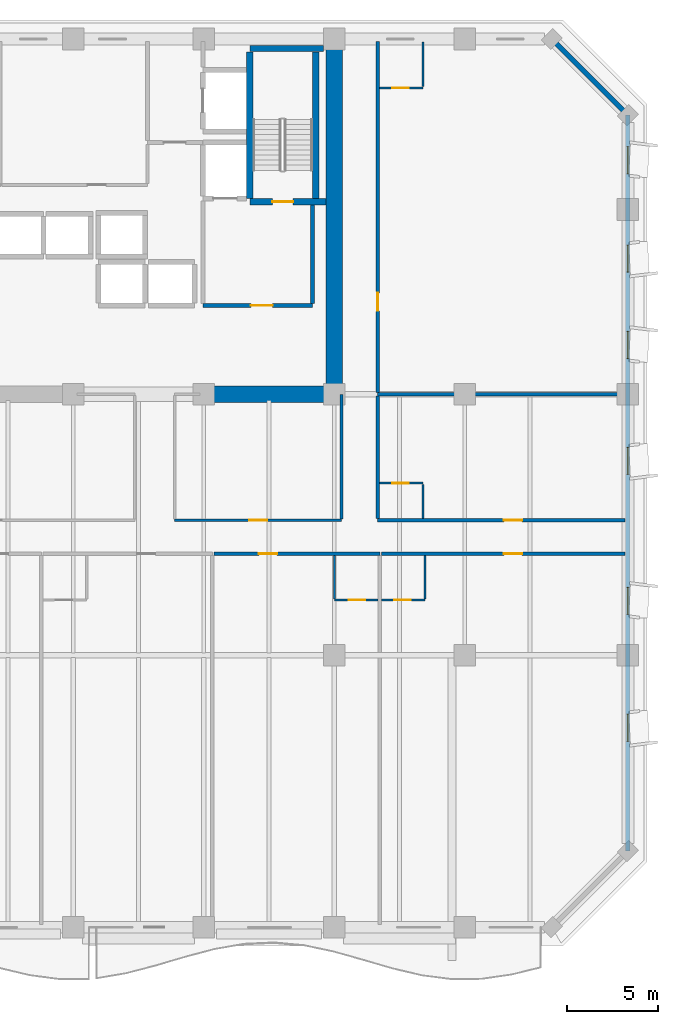
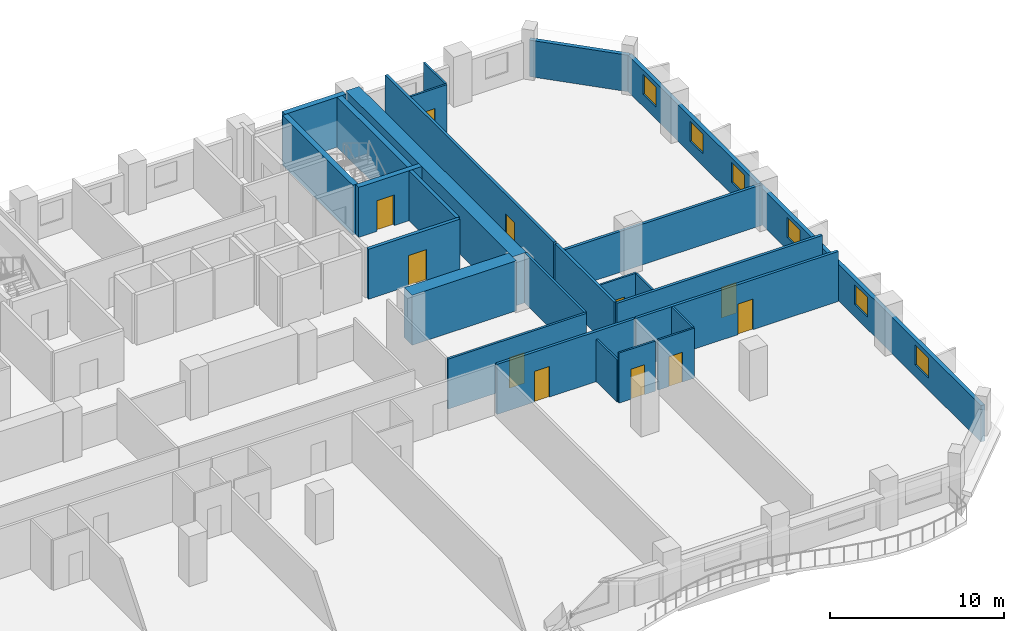
# One storey, part 9 of 14: 26 walls, 11 doors, 6 windows, 17 openings.
"""IFC4 building model written with IfcOpenShell, lengths in metres."""

from ifc_helpers import new_model, si_unit, direction, frame, frame_2d, origin, place, context, subcontext, project, spatial, rectangle, extrude, material, layer, layer_set, type_object, element, fill, save


model = new_model("IFC4")

# Units and contexts
model_context = context("Model", 3, precision=1e-05, world=origin(), true_north=direction((0.0, 1.0)))
body_context = subcontext(model_context, "Body", "Model", "MODEL_VIEW")
ifc_project = project(units=[si_unit("LENGTHUNIT", "METRE"), si_unit("AREAUNIT", "SQUARE_METRE"), si_unit("VOLUMEUNIT", "CUBIC_METRE"), si_unit("PLANEANGLEUNIT", "RADIAN"), si_unit("MASSUNIT", "GRAM", prefix="KILO")], contexts=[model_context])

# Site, building, storey
site_placement = place(None, origin())
site = spatial("IfcSite", under=ifc_project, at=site_placement, CompositionType="ELEMENT")
building_placement = place(site_placement, origin())
building = spatial("IfcBuilding", under=site, at=building_placement, Name="Kaelvorn Grand Hotel", CompositionType="ELEMENT")
storey_placement = place(building_placement, frame((0.0, 0.0, 93.050048828125)))
storey = spatial("IfcBuildingStorey", under=building, at=storey_placement, Name="L21", CompositionType="ELEMENT", Elevation=93.050048828125)

# Walls
ifc_material_1 = material(Name="Concrete C60/75", Category="concrete")
ifc_layer_1 = layer(ifc_material_1, 0.89990234375)
ifc_layer_set_1 = layer_set([ifc_layer_1], Name="Concrete C60/75")
wall_type_1 = type_object("IfcWallType", Name="WL-CORE-900-C60", PredefinedType="SHEAR", material=ifc_layer_set_1)
wall_1_placement = place(storey_placement, frame((67.800048828125, 29.39990234375, 0.0), z_axis=(0.0, 0.0, 1.0), x_axis=(0.0, 1.0, 0.0)))
element("IfcWall", 1, at=wall_1_placement, inside=storey, type_object=wall_type_1, Name="L21 Rear-Core East Shear Wall", PredefinedType="SHEAR", context=body_context, shape_type="SweptSolid", body=[
    extrude(rectangle(XDim=19.2001953125, YDim=0.89990234375, at=frame_2d((9.60009765625, 0.0))), origin(), (0.0, 0.0, 1.0), 3.510009765625),
])
wall_2_placement = place(storey_placement, frame((60.39990234375, 29.39990234375, 0.0), z_axis=(0.0, 0.0, 1.0), x_axis=(1.0, 0.0, 0.0)))
element("IfcWall", 2, at=wall_2_placement, inside=storey, type_object=wall_type_1, Name="L21 Rear-Core Coupled Shear Pier S4", PredefinedType="SHEAR", context=body_context, shape_type="SweptSolid", body=[
    extrude(rectangle(XDim=6.945068359375, YDim=0.89990234375, at=frame_2d((3.47265625, 0.0))), origin(), (0.0, 0.0, 1.0), 3.510009765625),
])

# Wall, openings, windows
ifc_material_2 = material(Name="Concrete C40/50", Category="concrete")
ifc_layer_2 = layer(ifc_material_2, 0.260009765625)
ifc_layer_set_2 = layer_set([ifc_layer_2], Name="Concrete C40/50")
wall_type_2 = type_object("IfcWallType", Name="WL-EXT-260-C40", PredefinedType="SOLIDWALL", material=ifc_layer_set_2)
wall_3_placement = place(storey_placement, frame((84.0, 4.199951171875, 0.0), z_axis=(0.0, 0.0, 1.0), x_axis=(0.0, 1.0, 0.0)))
wall_3 = element("IfcWall", 3, at=wall_3_placement, inside=storey, type_object=wall_type_2, Name="L21 Exterior Architectural Concrete Wall 03", PredefinedType="SOLIDWALL", context=body_context, shape_type="SweptSolid", body=[
    extrude(rectangle(XDim=40.60009765625, YDim=0.260009765625, at=frame_2d((20.300048828125, 0.0))), origin(), (0.0, 0.0, 1.0), 2.56005859375),
])
opening_1_placement = place(wall_3_placement, frame((6.050048828125, 0.0, 0.85009765625)))
opening_1 = element("IfcOpeningElement", 4, at=opening_1_placement, cuts=wall_3, Name="Opening W10", PredefinedType="OPENING", context=body_context, shape_type="SweptSolid", body=[
    extrude(rectangle(XDim=1.5, YDim=1.39990234375, at=frame_2d((0.75, 0.699951171875))), frame((0.0, 0.14013671875, 0.0), z_axis=(0.0, -1.0, 0.0), x_axis=(1.0, 0.0, 0.0)), (0.0, 0.0, 1.0), 0.280029296875),
])
opening_2_placement = place(wall_3_placement, frame((13.050048828125, 0.0, 0.85009765625)))
opening_2 = element("IfcOpeningElement", 5, at=opening_2_placement, cuts=wall_3, Name="Opening W10", PredefinedType="OPENING", context=body_context, shape_type="SweptSolid", body=[
    extrude(rectangle(XDim=1.5, YDim=1.39990234375, at=frame_2d((0.75, 0.699951171875))), frame((0.0, 0.14013671875, 0.0), z_axis=(0.0, -1.0, 0.0), x_axis=(1.0, 0.0, 0.0)), (0.0, 0.0, 1.0), 0.280029296875),
])
opening_3_placement = place(wall_3_placement, frame((20.77490234375, 0.0, 0.85009765625)))
opening_3 = element("IfcOpeningElement", 6, at=opening_3_placement, cuts=wall_3, Name="Opening W10", PredefinedType="OPENING", context=body_context, shape_type="SweptSolid", body=[
    extrude(rectangle(XDim=1.5, YDim=1.39990234375, at=frame_2d((0.75, 0.699951171875))), frame((0.0, 0.14013671875, 0.0), z_axis=(0.0, -1.0, 0.0), x_axis=(1.0, 0.0, 0.0)), (0.0, 0.0, 1.0), 0.280029296875),
])
opening_4_placement = place(wall_3_placement, frame((27.1650390625, 0.0, 0.85009765625)))
opening_4 = element("IfcOpeningElement", 7, at=opening_4_placement, cuts=wall_3, Name="Opening W10", PredefinedType="OPENING", context=body_context, shape_type="SweptSolid", body=[
    extrude(rectangle(XDim=1.5, YDim=1.39990234375, at=frame_2d((0.75, 0.699951171875))), frame((0.0, 0.14013671875, 0.0), z_axis=(0.0, -1.0, 0.0), x_axis=(1.0, 0.0, 0.0)), (0.0, 0.0, 1.0), 0.280029296875),
])
opening_5_placement = place(wall_3_placement, frame((31.93505859375, 0.0, 0.85009765625)))
opening_5 = element("IfcOpeningElement", 8, at=opening_5_placement, cuts=wall_3, Name="Opening W10", PredefinedType="OPENING", context=body_context, shape_type="SweptSolid", body=[
    extrude(rectangle(XDim=1.5, YDim=1.39990234375, at=frame_2d((0.75, 0.699951171875))), frame((0.0, 0.14013671875, 0.0), z_axis=(0.0, -1.0, 0.0), x_axis=(1.0, 0.0, 0.0)), (0.0, 0.0, 1.0), 0.280029296875),
])
opening_6_placement = place(wall_3_placement, frame((37.364990234375, 0.0, 0.85009765625)))
opening_6 = element("IfcOpeningElement", 9, at=opening_6_placement, cuts=wall_3, Name="Opening W10", PredefinedType="OPENING", context=body_context, shape_type="SweptSolid", body=[
    extrude(rectangle(XDim=1.5, YDim=1.39990234375, at=frame_2d((0.75, 0.699951171875))), frame((0.0, 0.14013671875, 0.0), z_axis=(0.0, -1.0, 0.0), x_axis=(1.0, 0.0, 0.0)), (0.0, 0.0, 1.0), 0.280029296875),
])
ifc_material_3 = material(Name="Laminated Low-E Glass", Category="glass")
window_type = type_object("IfcWindowType", Name="WIN-COR-1500x1400", PartitioningType="SINGLE_PANEL", PredefinedType="WINDOW", material=ifc_material_3)
window_1_placement = place(opening_1_placement, origin())
window_1 = element("IfcWindow", 10, at=window_1_placement, inside=storey, type_object=window_type, Name="L21 E Wing Tilted-Frame Ribbon Window E01", OverallHeight=1.39990234375, OverallWidth=1.5, PartitioningType="SINGLE_PANEL", PredefinedType="WINDOW", context=body_context, shape_type="SweptSolid", body=[
    extrude(rectangle(XDim=1.5, YDim=1.39990234375, at=frame_2d((0.75, 0.699951171875))), frame((0.0, 0.030029296875, 0.0), z_axis=(0.0, -1.0, 0.0), x_axis=(1.0, 0.0, 0.0)), (0.0, 0.0, 1.0), 0.06005859375),
])
fill(opening_1, window_1)
window_2_placement = place(opening_2_placement, origin())
window_2 = element("IfcWindow", 11, at=window_2_placement, inside=storey, type_object=window_type, Name="L21 E Wing Tilted-Frame Ribbon Window E02", OverallHeight=1.39990234375, OverallWidth=1.5, PartitioningType="SINGLE_PANEL", PredefinedType="WINDOW", context=body_context, shape_type="SweptSolid", body=[
    extrude(rectangle(XDim=1.5, YDim=1.39990234375, at=frame_2d((0.75, 0.699951171875))), frame((0.0, 0.030029296875, 0.0), z_axis=(0.0, -1.0, 0.0), x_axis=(1.0, 0.0, 0.0)), (0.0, 0.0, 1.0), 0.06005859375),
])
fill(opening_2, window_2)
window_3_placement = place(opening_3_placement, origin())
window_3 = element("IfcWindow", 12, at=window_3_placement, inside=storey, type_object=window_type, Name="L21 E Wing Tilted-Frame Ribbon Window E03", OverallHeight=1.39990234375, OverallWidth=1.5, PartitioningType="SINGLE_PANEL", PredefinedType="WINDOW", context=body_context, shape_type="SweptSolid", body=[
    extrude(rectangle(XDim=1.5, YDim=1.39990234375, at=frame_2d((0.75, 0.699951171875))), frame((0.0, 0.030029296875, 0.0), z_axis=(0.0, -1.0, 0.0), x_axis=(1.0, 0.0, 0.0)), (0.0, 0.0, 1.0), 0.06005859375),
])
fill(opening_3, window_3)
window_4_placement = place(opening_4_placement, origin())
window_4 = element("IfcWindow", 13, at=window_4_placement, inside=storey, type_object=window_type, Name="L21 E Wing Tilted-Frame Ribbon Window E04", OverallHeight=1.39990234375, OverallWidth=1.5, PartitioningType="SINGLE_PANEL", PredefinedType="WINDOW", context=body_context, shape_type="SweptSolid", body=[
    extrude(rectangle(XDim=1.5, YDim=1.39990234375, at=frame_2d((0.75, 0.699951171875))), frame((0.0, 0.030029296875, 0.0), z_axis=(0.0, -1.0, 0.0), x_axis=(1.0, 0.0, 0.0)), (0.0, 0.0, 1.0), 0.06005859375),
])
fill(opening_4, window_4)
window_5_placement = place(opening_5_placement, origin())
window_5 = element("IfcWindow", 14, at=window_5_placement, inside=storey, type_object=window_type, Name="L21 E Wing Tilted-Frame Ribbon Window E05", OverallHeight=1.39990234375, OverallWidth=1.5, PartitioningType="SINGLE_PANEL", PredefinedType="WINDOW", context=body_context, shape_type="SweptSolid", body=[
    extrude(rectangle(XDim=1.5, YDim=1.39990234375, at=frame_2d((0.75, 0.699951171875))), frame((0.0, 0.030029296875, 0.0), z_axis=(0.0, -1.0, 0.0), x_axis=(1.0, 0.0, 0.0)), (0.0, 0.0, 1.0), 0.06005859375),
])
fill(opening_5, window_5)
window_6_placement = place(opening_6_placement, origin())
window_6 = element("IfcWindow", 15, at=window_6_placement, inside=storey, type_object=window_type, Name="L21 E Wing Tilted-Frame Ribbon Window E06", OverallHeight=1.39990234375, OverallWidth=1.5, PartitioningType="SINGLE_PANEL", PredefinedType="WINDOW", context=body_context, shape_type="SweptSolid", body=[
    extrude(rectangle(XDim=1.5, YDim=1.39990234375, at=frame_2d((0.75, 0.699951171875))), frame((0.0, 0.030029296875, 0.0), z_axis=(0.0, -1.0, 0.0), x_axis=(1.0, 0.0, 0.0)), (0.0, 0.0, 1.0), 0.06005859375),
])
fill(opening_6, window_6)

# Wall
wall_4_placement = place(storey_placement, frame((84.0, 44.800048828125, 0.0), z_axis=(0.0, 0.0, 1.0), x_axis=(-0.707106781187, 0.707106781187, 0.0)))
element("IfcWall", 16, at=wall_4_placement, inside=storey, type_object=wall_type_2, Name="L21 Exterior Architectural Concrete Wall 04", PredefinedType="SOLIDWALL", context=body_context, shape_type="SweptSolid", body=[
    extrude(rectangle(XDim=5.939697265625, YDim=0.260009765625, at=frame_2d((2.9697265625, 0.0))), origin(), (0.0, 0.0, 1.0), 2.56005859375),
])

# Wall, opening, door
ifc_material_4 = material(Name="Moisture-Resistant Tile & Stud Board")
ifc_layer_3 = layer(ifc_material_4, 0.125)
ifc_layer_set_3 = layer_set([ifc_layer_3], Name="Moisture-Resistant Tile & Stud Board")
wall_type_3 = type_object("IfcWallType", Name="WL-PART-125-WET", PredefinedType="PARTITIONING", material=ifc_layer_set_3)
wall_5_placement = place(storey_placement, frame((67.81298828125, 18.050048828125, 0.0), z_axis=(0.0, 0.0, 1.0), x_axis=(1.0, 0.0, 0.0)))
wall_5 = element("IfcWall", 17, at=wall_5_placement, inside=storey, type_object=wall_type_3, Name="L21 En-suite Bathroom L21-07 S Partition", PredefinedType="PARTITIONING", context=body_context, shape_type="SweptSolid", body=[
    extrude(rectangle(XDim=2.405029296875, YDim=0.125, at=frame_2d((1.20263671875, 0.0))), origin(), (0.0, 0.0, 1.0), 3.510009765625),
])
opening_7_placement = place(wall_5_placement, frame((0.800048828125, 0.0, 0.0)))
opening_7 = element("IfcOpeningElement", 18, at=opening_7_placement, cuts=wall_5, Name="Opening DI4", PredefinedType="OPENING", context=body_context, shape_type="SweptSolid", body=[
    extrude(rectangle(XDim=0.89990234375, YDim=2.10009765625, at=frame_2d((0.449951171875, 1.050048828125))), frame((0.0, 0.072509765625, 0.0), z_axis=(0.0, -1.0, 0.0), x_axis=(1.0, 0.0, 0.0)), (0.0, 0.0, 1.0), 0.14501953125),
])
ifc_material_5 = material(Name="Timber Veneer Leaf", Category="wood")
door_type_1 = type_object("IfcDoorType", Name="DR-INT-BATH-900x2100", OperationType="NOTDEFINED", PredefinedType="DOOR", material=ifc_material_5)
door_1_placement = place(opening_7_placement, origin())
door_1 = element("IfcDoor", 19, at=door_1_placement, inside=storey, type_object=door_type_1, Name="L21 En-suite Bathroom L21-07 Door", OperationType="SINGLE_SWING_LEFT", OverallHeight=2.10009765625, OverallWidth=0.89990234375, PredefinedType="DOOR", context=body_context, shape_type="SweptSolid", body=[
    extrude(rectangle(XDim=0.89990234375, YDim=2.10009765625, at=frame_2d((0.449951171875, 1.050048828125))), frame((0.0, 0.02490234375, 0.0), z_axis=(0.0, -1.0, 0.0), x_axis=(1.0, 0.0, 0.0)), (0.0, 0.0, 1.0), 0.050048828125),
])
fill(opening_7, door_1)

# Wall
wall_6_placement = place(storey_placement, frame((67.81298828125, 18.117431640625, 0.0), z_axis=(0.0, 0.0, 1.0), x_axis=(0.0, 1.0, 0.0)))
element("IfcWall", 20, at=wall_6_placement, inside=storey, type_object=wall_type_3, Name="L21 En-suite Bathroom L21-07 W Partition", PredefinedType="PARTITIONING", context=body_context, shape_type="SweptSolid", body=[
    extrude(rectangle(XDim=2.387451171875, YDim=0.125, at=frame_2d((1.19384765625, 0.0))), origin(), (0.0, 0.0, 1.0), 2.976806640625),
])

# Wall, opening, door
wall_7_placement = place(storey_placement, frame((70.408203125, 18.050048828125, 0.0), z_axis=(0.0, 0.0, 1.0), x_axis=(1.0, 0.0, 0.0)))
wall_7 = element("IfcWall", 21, at=wall_7_placement, inside=storey, type_object=wall_type_3, Name="L21 En-suite Bathroom L21-08 S Partition", PredefinedType="PARTITIONING", context=body_context, shape_type="SweptSolid", body=[
    extrude(rectangle(XDim=2.40478515625, YDim=0.125, at=frame_2d((1.202392578125, 0.0))), origin(), (0.0, 0.0, 1.0), 3.510009765625),
])
opening_8_placement = place(wall_7_placement, frame((0.705078125, 0.0, 0.0)))
opening_8 = element("IfcOpeningElement", 22, at=opening_8_placement, cuts=wall_7, Name="Opening DI4", PredefinedType="OPENING", context=body_context, shape_type="SweptSolid", body=[
    extrude(rectangle(XDim=0.89990234375, YDim=2.10009765625, at=frame_2d((0.449951171875, 1.050048828125))), frame((0.0, 0.072509765625, 0.0), z_axis=(0.0, -1.0, 0.0), x_axis=(1.0, 0.0, 0.0)), (0.0, 0.0, 1.0), 0.14501953125),
])
door_2_placement = place(opening_8_placement, origin())
door_2 = element("IfcDoor", 23, at=door_2_placement, inside=storey, type_object=door_type_1, Name="L21 En-suite Bathroom L21-08 Door", OperationType="SINGLE_SWING_LEFT", OverallHeight=2.10009765625, OverallWidth=0.89990234375, PredefinedType="DOOR", context=body_context, shape_type="SweptSolid", body=[
    extrude(rectangle(XDim=0.89990234375, YDim=2.10009765625, at=frame_2d((0.449951171875, 1.050048828125))), frame((0.0, 0.02490234375, 0.0), z_axis=(0.0, -1.0, 0.0), x_axis=(1.0, 0.0, 0.0)), (0.0, 0.0, 1.0), 0.050048828125),
])
fill(opening_8, door_2)

# Wall
wall_8_placement = place(storey_placement, frame((72.81298828125, 18.117431640625, 0.0), z_axis=(0.0, 0.0, 1.0), x_axis=(0.0, 1.0, 0.0)))
element("IfcWall", 24, at=wall_8_placement, inside=storey, type_object=wall_type_3, Name="L21 En-suite Bathroom L21-08 E Partition", PredefinedType="PARTITIONING", context=body_context, shape_type="SweptSolid", body=[
    extrude(rectangle(XDim=2.387451171875, YDim=0.125, at=frame_2d((1.19384765625, 0.0))), origin(), (0.0, 0.0, 1.0), 3.510009765625),
])

# Wall, opening, door
wall_9_placement = place(storey_placement, frame((70.294921875, 24.5, 0.0), z_axis=(0.0, 0.0, 1.0), x_axis=(1.0, 0.0, 0.0)))
wall_9 = element("IfcWall", 25, at=wall_9_placement, inside=storey, type_object=wall_type_3, Name="L21 En-suite Bathroom L21-10 N Partition", PredefinedType="PARTITIONING", context=body_context, shape_type="SweptSolid", body=[
    extrude(rectangle(XDim=2.405029296875, YDim=0.125, at=frame_2d((1.20263671875, 0.0))), origin(), (0.0, 0.0, 1.0), 3.510009765625),
])
opening_9_placement = place(wall_9_placement, frame((0.705078125, 0.0, 0.0)))
opening_9 = element("IfcOpeningElement", 26, at=opening_9_placement, cuts=wall_9, Name="Opening DI4", PredefinedType="OPENING", context=body_context, shape_type="SweptSolid", body=[
    extrude(rectangle(XDim=0.89990234375, YDim=2.10009765625, at=frame_2d((0.449951171875, 1.050048828125))), frame((0.0, 0.072509765625, 0.0), z_axis=(0.0, -1.0, 0.0), x_axis=(1.0, 0.0, 0.0)), (0.0, 0.0, 1.0), 0.14501953125),
])
door_3_placement = place(opening_9_placement, origin())
door_3 = element("IfcDoor", 27, at=door_3_placement, inside=storey, type_object=door_type_1, Name="L21 En-suite Bathroom L21-10 Door", OperationType="SINGLE_SWING_LEFT", OverallHeight=2.10009765625, OverallWidth=0.89990234375, PredefinedType="DOOR", context=body_context, shape_type="SweptSolid", body=[
    extrude(rectangle(XDim=0.89990234375, YDim=2.10009765625, at=frame_2d((0.449951171875, 1.050048828125))), frame((0.0, 0.02490234375, 0.0), z_axis=(0.0, -1.0, 0.0), x_axis=(1.0, 0.0, 0.0)), (0.0, 0.0, 1.0), 0.050048828125),
])
fill(opening_9, door_3)

# Wall
wall_10_placement = place(storey_placement, frame((72.699951171875, 22.544921875, 0.0), z_axis=(0.0, 0.0, 1.0), x_axis=(0.0, 1.0, 0.0)))
element("IfcWall", 28, at=wall_10_placement, inside=storey, type_object=wall_type_3, Name="L21 En-suite Bathroom L21-10 E Partition", PredefinedType="PARTITIONING", context=body_context, shape_type="SweptSolid", body=[
    extrude(rectangle(XDim=1.8876953125, YDim=0.125, at=frame_2d((0.94384765625, 0.0))), origin(), (0.0, 0.0, 1.0), 3.510009765625),
])

# Wall, opening, door
wall_11_placement = place(storey_placement, frame((70.294921875, 46.300048828125, 0.0), z_axis=(0.0, 0.0, 1.0), x_axis=(1.0, 0.0, 0.0)))
wall_11 = element("IfcWall", 29, at=wall_11_placement, inside=storey, type_object=wall_type_3, Name="L21 En-suite Bathroom L21-11 S Partition", PredefinedType="PARTITIONING", context=body_context, shape_type="SweptSolid", body=[
    extrude(rectangle(XDim=2.405029296875, YDim=0.125, at=frame_2d((1.20263671875, 0.0))), origin(), (0.0, 0.0, 1.0), 3.510009765625),
])
opening_10_placement = place(wall_11_placement, frame((0.705078125, 0.0, 0.0)))
opening_10 = element("IfcOpeningElement", 30, at=opening_10_placement, cuts=wall_11, Name="Opening DI4", PredefinedType="OPENING", context=body_context, shape_type="SweptSolid", body=[
    extrude(rectangle(XDim=0.89990234375, YDim=2.10009765625, at=frame_2d((0.449951171875, 1.050048828125))), frame((0.0, 0.072509765625, 0.0), z_axis=(0.0, -1.0, 0.0), x_axis=(1.0, 0.0, 0.0)), (0.0, 0.0, 1.0), 0.14501953125),
])
door_4_placement = place(opening_10_placement, origin())
door_4 = element("IfcDoor", 31, at=door_4_placement, inside=storey, type_object=door_type_1, Name="L21 En-suite Bathroom L21-11 Door", OperationType="SINGLE_SWING_LEFT", OverallHeight=2.10009765625, OverallWidth=0.89990234375, PredefinedType="DOOR", context=body_context, shape_type="SweptSolid", body=[
    extrude(rectangle(XDim=0.89990234375, YDim=2.10009765625, at=frame_2d((0.449951171875, 1.050048828125))), frame((0.0, 0.02490234375, 0.0), z_axis=(0.0, -1.0, 0.0), x_axis=(1.0, 0.0, 0.0)), (0.0, 0.0, 1.0), 0.050048828125),
])
fill(opening_10, door_4)

# Wall
wall_12_placement = place(storey_placement, frame((72.699951171875, 46.367431640625, 0.0), z_axis=(0.0, 0.0, 1.0), x_axis=(0.0, 1.0, 0.0)))
element("IfcWall", 32, at=wall_12_placement, inside=storey, type_object=wall_type_3, Name="L21 En-suite Bathroom L21-11 E Partition", PredefinedType="PARTITIONING", context=body_context, shape_type="SweptSolid", body=[
    extrude(rectangle(XDim=2.482666015625, YDim=0.125, at=frame_2d((1.2412109375, 0.0))), origin(), (0.0, 0.0, 1.0), 3.510009765625),
])

# Wall, opening, door
ifc_material_6 = material(Name="Acoustic Gypsum & Stud Partition")
ifc_layer_4 = layer(ifc_material_6, 0.14990234375)
ifc_layer_set_4 = layer_set([ifc_layer_4], Name="Acoustic Gypsum & Stud Partition")
wall_type_4 = type_object("IfcWallType", Name="WL-PART-150-EI60", PredefinedType="PARTITIONING", material=ifc_layer_set_4)
wall_13_placement = place(storey_placement, frame((59.0, 22.449951171875, 0.0), z_axis=(0.0, 0.0, 1.0), x_axis=(1.0, 0.0, 0.0)))
wall_13 = element("IfcWall", 33, at=wall_13_placement, inside=storey, type_object=wall_type_4, Name="L21 VIP Dining Restaurant S Partition", PredefinedType="PARTITIONING", context=body_context, shape_type="SweptSolid", body=[
    extrude(rectangle(XDim=9.199951171875, YDim=0.14990234375, at=frame_2d((4.60009765625, 0.0))), origin(), (0.0, 0.0, 1.0), 3.510009765625),
])
opening_11_placement = place(wall_13_placement, frame((4.10009765625, 0.0, 0.0)))
opening_11 = element("IfcOpeningElement", 34, at=opening_11_placement, cuts=wall_13, Name="Opening DI3", PredefinedType="OPENING", context=body_context, shape_type="SweptSolid", body=[
    extrude(rectangle(XDim=1.0, YDim=2.14990234375, at=frame_2d((0.5, 1.074951171875))), frame((0.0, 0.0849609375, 0.0), z_axis=(0.0, -1.0, 0.0), x_axis=(1.0, 0.0, 0.0)), (0.0, 0.0, 1.0), 0.169921875),
])
ifc_material_7 = material(Name="Timber Veneer Fire Leaf", Category="wood")
door_type_2 = type_object("IfcDoorType", Name="DR-INT-GUEST-1000x2150", OperationType="NOTDEFINED", PredefinedType="DOOR", material=ifc_material_7)
door_5_placement = place(opening_11_placement, origin())
door_5 = element("IfcDoor", 35, at=door_5_placement, inside=storey, type_object=door_type_2, Name="L21 VIP Dining Restaurant Door", OperationType="SINGLE_SWING_LEFT", OverallHeight=2.14990234375, OverallWidth=1.0, PredefinedType="DOOR", context=body_context, shape_type="SweptSolid", body=[
    extrude(rectangle(XDim=1.0, YDim=2.14990234375, at=frame_2d((0.5, 1.074951171875))), frame((0.0, 0.02490234375, 0.0), z_axis=(0.0, -1.0, 0.0), x_axis=(1.0, 0.0, 0.0)), (0.0, 0.0, 1.0), 0.050048828125),
])
fill(opening_11, door_5)

# Wall
wall_14_placement = place(storey_placement, frame((68.199951171875, 22.530029296875, 0.0), z_axis=(0.0, 0.0, 1.0), x_axis=(0.0, 1.0, 0.0)))
element("IfcWall", 36, at=wall_14_placement, inside=storey, type_object=wall_type_4, Name="L21 VIP Dining Restaurant E Partition", PredefinedType="PARTITIONING", context=body_context, shape_type="SweptSolid", body=[
    extrude(rectangle(XDim=6.85986328125, YDim=0.14990234375, at=frame_2d((3.429931640625, 0.0))), origin(), (0.0, 0.0, 1.0), 3.510009765625),
])

# Wall, opening, door
ifc_layer_5 = layer(ifc_material_6, 0.179931640625)
ifc_layer_set_5 = layer_set([ifc_layer_5], Name="Acoustic Gypsum & Stud Partition")
wall_type_5 = type_object("IfcWallType", Name="WL-PART-180-EI60", PredefinedType="PARTITIONING", material=ifc_layer_set_5)
wall_15_placement = place(storey_placement, frame((61.171142578125, 20.60009765625, 0.0), z_axis=(0.0, 0.0, 1.0), x_axis=(1.0, 0.0, 0.0)))
wall_15 = element("IfcWall", 37, at=wall_15_placement, inside=storey, type_object=wall_type_5, Name="L21 Deluxe Panoramic Suite L21-07 N Partition", PredefinedType="PARTITIONING", context=body_context, shape_type="SweptSolid", body=[
    extrude(rectangle(XDim=9.141845703125, YDim=0.179931640625, at=frame_2d((4.57080078125, 0.0))), origin(), (0.0, 0.0, 1.0), 3.510009765625),
])
opening_12_placement = place(wall_15_placement, frame((2.475341796875, 0.0, 0.0)))
opening_12 = element("IfcOpeningElement", 38, at=opening_12_placement, cuts=wall_15, Name="Opening DI3", PredefinedType="OPENING", context=body_context, shape_type="SweptSolid", body=[
    extrude(rectangle(XDim=1.0, YDim=2.14990234375, at=frame_2d((0.5, 1.074951171875))), frame((0.0, 0.10009765625, 0.0), z_axis=(0.0, -1.0, 0.0), x_axis=(1.0, 0.0, 0.0)), (0.0, 0.0, 1.0), 0.199951171875),
])
door_6_placement = place(opening_12_placement, origin())
door_6 = element("IfcDoor", 39, at=door_6_placement, inside=storey, type_object=door_type_2, Name="L21 Deluxe Panoramic Suite L21-07 Door", OperationType="SINGLE_SWING_RIGHT", OverallHeight=2.14990234375, OverallWidth=1.0, PredefinedType="DOOR", context=body_context, shape_type="SweptSolid", body=[
    extrude(rectangle(XDim=1.0, YDim=2.14990234375, at=frame_2d((0.5, 1.074951171875))), frame((0.0, 0.02490234375, 0.0), z_axis=(0.0, -1.0, 0.0), x_axis=(1.0, 0.0, 0.0)), (0.0, 0.0, 1.0), 0.050048828125),
])
fill(opening_12, door_6)

wall_16_placement = place(storey_placement, frame((70.408203125, 20.60009765625, 0.0), z_axis=(0.0, 0.0, 1.0), x_axis=(1.0, 0.0, 0.0)))
wall_16 = element("IfcWall", 40, at=wall_16_placement, inside=storey, type_object=wall_type_5, Name="L21 Presidential Sky Suite L21-08 N Partition", PredefinedType="PARTITIONING", context=body_context, shape_type="SweptSolid", body=[
    extrude(rectangle(XDim=13.44189453125, YDim=0.179931640625, at=frame_2d((6.720947265625, 0.0))), origin(), (0.0, 0.0, 1.0), 3.510009765625),
])
opening_13_placement = place(wall_16_placement, frame((6.7568359375, 0.0, 0.0)))
opening_13 = element("IfcOpeningElement", 41, at=opening_13_placement, cuts=wall_16, Name="Opening DI3", PredefinedType="OPENING", context=body_context, shape_type="SweptSolid", body=[
    extrude(rectangle(XDim=1.0, YDim=2.14990234375, at=frame_2d((0.5, 1.074951171875))), frame((0.0, 0.10009765625, 0.0), z_axis=(0.0, -1.0, 0.0), x_axis=(1.0, 0.0, 0.0)), (0.0, 0.0, 1.0), 0.199951171875),
])
door_7_placement = place(opening_13_placement, origin())
door_7 = element("IfcDoor", 42, at=door_7_placement, inside=storey, type_object=door_type_2, Name="L21 Presidential Sky Suite L21-08 Door", OperationType="SINGLE_SWING_RIGHT", OverallHeight=2.14990234375, OverallWidth=1.0, PredefinedType="DOOR", context=body_context, shape_type="SweptSolid", body=[
    extrude(rectangle(XDim=1.0, YDim=2.14990234375, at=frame_2d((0.5, 1.074951171875))), frame((0.0, 0.02490234375, 0.0), z_axis=(0.0, -1.0, 0.0), x_axis=(1.0, 0.0, 0.0)), (0.0, 0.0, 1.0), 0.050048828125),
])
fill(opening_13, door_7)

wall_17_placement = place(storey_placement, frame((70.199951171875, 22.449951171875, 0.0), z_axis=(0.0, 0.0, 1.0), x_axis=(1.0, 0.0, 0.0)))
wall_17 = element("IfcWall", 43, at=wall_17_placement, inside=storey, type_object=wall_type_5, Name="L21 East Chamfer Corner Suite L21-10 S Partition", PredefinedType="PARTITIONING", context=body_context, shape_type="SweptSolid", body=[
    extrude(rectangle(XDim=13.650146484375, YDim=0.179931640625, at=frame_2d((6.8251953125, 0.0))), origin(), (0.0, 0.0, 1.0), 3.510009765625),
])
opening_14_placement = place(wall_17_placement, frame((6.965087890625, 0.0, 0.0)))
opening_14 = element("IfcOpeningElement", 44, at=opening_14_placement, cuts=wall_17, Name="Opening DI3", PredefinedType="OPENING", context=body_context, shape_type="SweptSolid", body=[
    extrude(rectangle(XDim=1.0, YDim=2.14990234375, at=frame_2d((0.5, 1.074951171875))), frame((0.0, 0.10009765625, 0.0), z_axis=(0.0, -1.0, 0.0), x_axis=(1.0, 0.0, 0.0)), (0.0, 0.0, 1.0), 0.199951171875),
])
door_8_placement = place(opening_14_placement, origin())
door_8 = element("IfcDoor", 45, at=door_8_placement, inside=storey, type_object=door_type_2, Name="L21 East Chamfer Corner Suite L21-10 Door", OperationType="SINGLE_SWING_RIGHT", OverallHeight=2.14990234375, OverallWidth=1.0, PredefinedType="DOOR", context=body_context, shape_type="SweptSolid", body=[
    extrude(rectangle(XDim=1.0, YDim=2.14990234375, at=frame_2d((0.5, 1.074951171875))), frame((0.0, 0.02490234375, 0.0), z_axis=(0.0, -1.0, 0.0), x_axis=(1.0, 0.0, 0.0)), (0.0, 0.0, 1.0), 0.050048828125),
])
fill(opening_14, door_8)

# Walls
wall_18_placement = place(storey_placement, frame((70.199951171875, 29.39990234375, 0.0), z_axis=(0.0, 0.0, 1.0), x_axis=(1.0, 0.0, 0.0)))
element("IfcWall", 46, at=wall_18_placement, inside=storey, type_object=wall_type_5, Name="L21 East Chamfer Corner Suite L21-10 N Partition", PredefinedType="PARTITIONING", context=body_context, shape_type="SweptSolid", body=[
    extrude(rectangle(XDim=13.650146484375, YDim=0.179931640625, at=frame_2d((6.8251953125, 0.0))), origin(), (0.0, 0.0, 1.0), 2.85986328125),
])
wall_19_placement = place(storey_placement, frame((70.199951171875, 22.544921875, 0.0), z_axis=(0.0, 0.0, 1.0), x_axis=(0.0, 1.0, 0.0)))
element("IfcWall", 47, at=wall_19_placement, inside=storey, type_object=wall_type_5, Name="L21 East Chamfer Corner Suite L21-10 W Partition", PredefinedType="PARTITIONING", context=body_context, shape_type="SweptSolid", body=[
    extrude(rectangle(XDim=6.760009765625, YDim=0.179931640625, at=frame_2d((3.3798828125, 0.0))), origin(), (0.0, 0.0, 1.0), 3.510009765625),
])

# Wall, opening, door
wall_20_placement = place(storey_placement, frame((70.199951171875, 29.4951171875, 0.0), z_axis=(0.0, 0.0, 1.0), x_axis=(0.0, 1.0, 0.0)))
wall_20 = element("IfcWall", 48, at=wall_20_placement, inside=storey, type_object=wall_type_5, Name="L21 Presidential Sky Suite L21-11 W Partition", PredefinedType="PARTITIONING", context=body_context, shape_type="SweptSolid", body=[
    extrude(rectangle(XDim=19.35498046875, YDim=0.179931640625, at=frame_2d((9.677490234375, 0.0))), origin(), (0.0, 0.0, 1.0), 3.510009765625),
])
opening_15_placement = place(wall_20_placement, frame((4.5048828125, 0.0, 0.0)))
opening_15 = element("IfcOpeningElement", 49, at=opening_15_placement, cuts=wall_20, Name="Opening DI3", PredefinedType="OPENING", context=body_context, shape_type="SweptSolid", body=[
    extrude(rectangle(XDim=1.0, YDim=2.14990234375, at=frame_2d((0.5, 1.074951171875))), frame((0.0, 0.10009765625, 0.0), z_axis=(0.0, -1.0, 0.0), x_axis=(1.0, 0.0, 0.0)), (0.0, 0.0, 1.0), 0.199951171875),
])
door_9_placement = place(opening_15_placement, origin())
door_9 = element("IfcDoor", 50, at=door_9_placement, inside=storey, type_object=door_type_2, Name="L21 Presidential Sky Suite L21-11 Door", OperationType="SINGLE_SWING_RIGHT", OverallHeight=2.14990234375, OverallWidth=1.0, PredefinedType="DOOR", context=body_context, shape_type="SweptSolid", body=[
    extrude(rectangle(XDim=1.0, YDim=2.14990234375, at=frame_2d((0.5, 1.074951171875))), frame((0.0, 0.02490234375, 0.0), z_axis=(0.0, -1.0, 0.0), x_axis=(1.0, 0.0, 0.0)), (0.0, 0.0, 1.0), 0.050048828125),
])
fill(opening_15, door_9)

ifc_layer_6 = layer(ifc_material_2, 0.219970703125)
ifc_layer_set_6 = layer_set([ifc_layer_6], Name="Concrete C40/50")
wall_type_6 = type_object("IfcWallType", Name="WL-PART-220-EI120", PredefinedType="PARTITIONING", material=ifc_layer_set_6)
wall_21_placement = place(storey_placement, frame((60.550048828125, 34.300048828125, 0.0), z_axis=(0.0, 0.0, 1.0), x_axis=(1.0, 0.0, 0.0)))
wall_21 = element("IfcWall", 51, at=wall_21_placement, inside=storey, type_object=wall_type_6, Name="L21 Firefighting Lift Lobby 2 S Partition", PredefinedType="PARTITIONING", context=body_context, shape_type="SweptSolid", body=[
    extrude(rectangle(XDim=6.050048828125, YDim=0.219970703125, at=frame_2d((3.02490234375, 0.0))), origin(), (0.0, 0.0, 1.0), 3.510009765625),
])
opening_16_placement = place(wall_21_placement, frame((2.64990234375, 0.0, 0.0)))
opening_16 = element("IfcOpeningElement", 52, at=opening_16_placement, cuts=wall_21, Name="Opening DI2", PredefinedType="OPENING", context=body_context, shape_type="SweptSolid", body=[
    extrude(rectangle(XDim=1.199951171875, YDim=2.14990234375, at=frame_2d((0.60009765625, 1.074951171875))), frame((0.0, 0.1201171875, 0.0), z_axis=(0.0, -1.0, 0.0), x_axis=(1.0, 0.0, 0.0)), (0.0, 0.0, 1.0), 0.239990234375),
])
door_type_3 = type_object("IfcDoorType", Name="DR-INT-FFLOB-1200x2150", OperationType="NOTDEFINED", PredefinedType="DOOR", material=ifc_material_7)
door_10_placement = place(opening_16_placement, origin())
door_10 = element("IfcDoor", 53, at=door_10_placement, inside=storey, type_object=door_type_3, Name="L21 Firefighting Lift Lobby 2 Door", OperationType="SINGLE_SWING_LEFT", OverallHeight=2.14990234375, OverallWidth=1.199951171875, PredefinedType="DOOR", context=body_context, shape_type="SweptSolid", body=[
    extrude(rectangle(XDim=1.199951171875, YDim=2.14990234375, at=frame_2d((0.60009765625, 1.074951171875))), frame((0.0, 0.02490234375, 0.0), z_axis=(0.0, -1.0, 0.0), x_axis=(1.0, 0.0, 0.0)), (0.0, 0.0, 1.0), 0.050048828125),
])
fill(opening_16, door_10)

# Wall
wall_22_placement = place(storey_placement, frame((66.60009765625, 34.4150390625, 0.0), z_axis=(0.0, 0.0, 1.0), x_axis=(0.0, 1.0, 0.0)))
element("IfcWall", 54, at=wall_22_placement, inside=storey, type_object=wall_type_6, Name="L21 Firefighting Lift Lobby 2 E Partition", PredefinedType="PARTITIONING", context=body_context, shape_type="SweptSolid", body=[
    extrude(rectangle(XDim=5.429931640625, YDim=0.219970703125, at=frame_2d((2.71484375, 0.0))), origin(), (0.0, 0.0, 1.0), 3.510009765625),
])

# Wall, opening, door
ifc_layer_7 = layer(ifc_material_1, 0.35009765625)
ifc_layer_set_7 = layer_set([ifc_layer_7], Name="Concrete C60/75")
wall_type_7 = type_object("IfcWallType", Name="WL-SHAFT-350-C60", PredefinedType="SHEAR", material=ifc_layer_set_7)
wall_23_placement = place(storey_placement, frame((63.14501953125, 40.02490234375, 0.0), z_axis=(0.0, 0.0, 1.0), x_axis=(1.0, 0.0, 0.0)))
wall_23 = element("IfcWall", 55, at=wall_23_placement, inside=storey, type_object=wall_type_7, Name="L21 ST3 Stair Shaft South Wall", PredefinedType="SHEAR", context=body_context, shape_type="SweptSolid", body=[
    extrude(rectangle(XDim=4.199951171875, YDim=0.35009765625, at=frame_2d((2.10009765625, 0.0))), origin(), (0.0, 0.0, 1.0), 3.510009765625),
])
opening_17_placement = place(wall_23_placement, frame((1.239990234375, 0.0, 0.0)))
opening_17 = element("IfcOpeningElement", 56, at=opening_17_placement, cuts=wall_23, Name="Opening DI1", PredefinedType="OPENING", context=body_context, shape_type="SweptSolid", body=[
    extrude(rectangle(XDim=1.14990234375, YDim=2.14990234375, at=frame_2d((0.574951171875, 1.074951171875))), frame((0.0, 0.18505859375, 0.0), z_axis=(0.0, -1.0, 0.0), x_axis=(1.0, 0.0, 0.0)), (0.0, 0.0, 1.0), 0.3701171875),
])
door_type_4 = type_object("IfcDoorType", Name="DR-INT-STAIR-1150x2150", OperationType="NOTDEFINED", PredefinedType="DOOR", material=ifc_material_7)
door_11_placement = place(opening_17_placement, origin())
door_11 = element("IfcDoor", 57, at=door_11_placement, inside=storey, type_object=door_type_4, Name="L21 ST3 Exit Stair Fire Door", OperationType="SINGLE_SWING_LEFT", OverallHeight=2.14990234375, OverallWidth=1.14990234375, PredefinedType="DOOR", context=body_context, shape_type="SweptSolid", body=[
    extrude(rectangle(XDim=1.14990234375, YDim=2.14990234375, at=frame_2d((0.574951171875, 1.074951171875))), frame((0.0, 0.02490234375, 0.0), z_axis=(0.0, -1.0, 0.0), x_axis=(1.0, 0.0, 0.0)), (0.0, 0.0, 1.0), 0.050048828125),
])
fill(opening_17, door_11)

# Walls
wall_24_placement = place(storey_placement, frame((63.14501953125, 48.47509765625, 0.0), z_axis=(0.0, 0.0, 1.0), x_axis=(1.0, 0.0, 0.0)))
element("IfcWall", 58, at=wall_24_placement, inside=storey, type_object=wall_type_7, Name="L21 ST3 Stair Shaft North Wall", PredefinedType="SHEAR", context=body_context, shape_type="SweptSolid", body=[
    extrude(rectangle(XDim=4.050048828125, YDim=0.35009765625, at=frame_2d((2.02490234375, 0.0))), origin(), (0.0, 0.0, 1.0), 3.510009765625),
])
for number, where, z_axis, x_axis, name in (
    (59, (63.14501953125, 40.205078125, 0.0), (0.0, 0.0, 1.0), (0.0, 1.0, 0.0), "L21 ST3 Stair Shaft West Wall"),
    (60, (66.77490234375, 40.205078125, 0.0), (0.0, 0.0, 1.0), (0.0, 1.0, 0.0), "L21 ST3 Stair Shaft East Wall"),
):
    element("IfcWall", number, at=place(storey_placement, frame(where, z_axis=z_axis, x_axis=x_axis)), inside=storey, type_object=wall_type_7, Name=name, PredefinedType="SHEAR", context=body_context, shape_type="SweptSolid", body=[
        extrude(rectangle(XDim=8.08984375, YDim=0.35009765625, at=frame_2d((4.044921875, 0.0))), origin(), (0.0, 0.0, 1.0), 3.510009765625),
    ])

save(model, "model.ifc")
